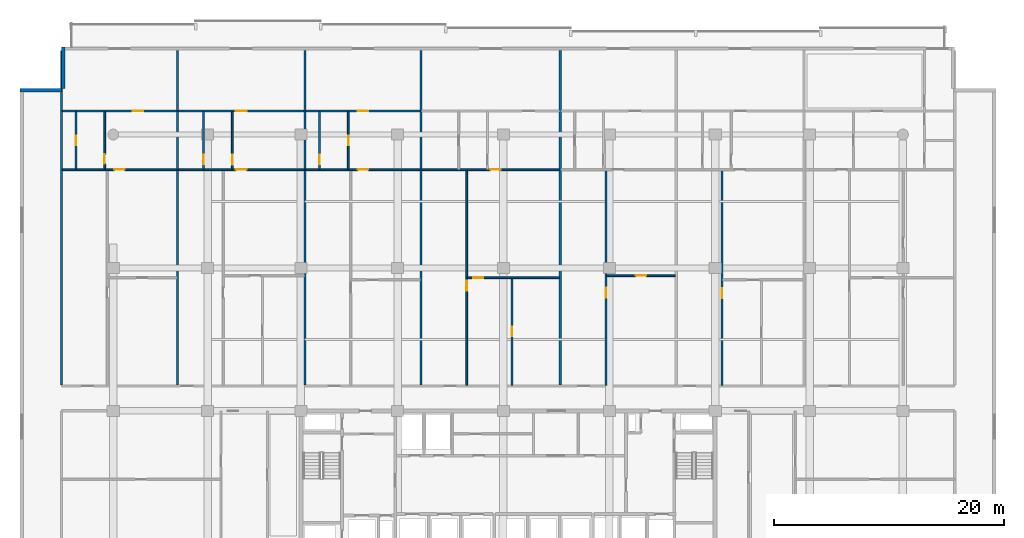
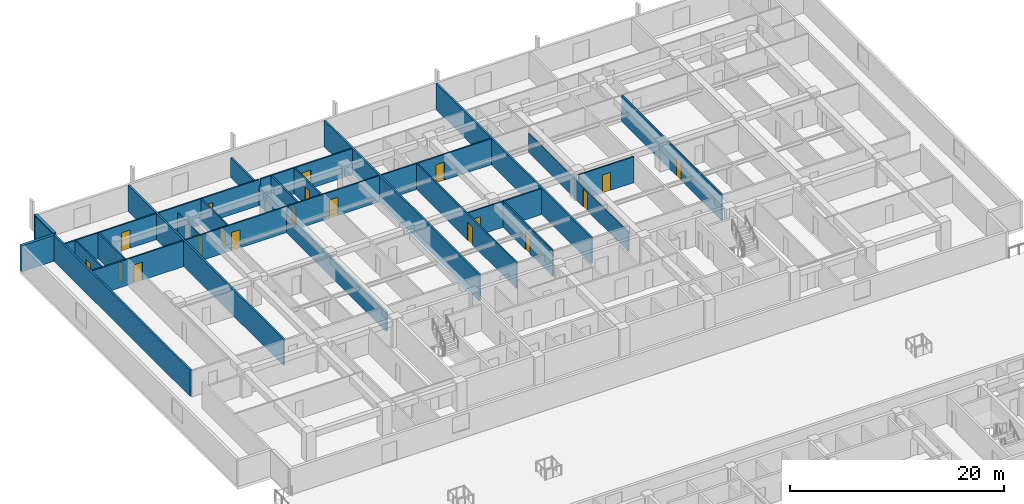
# One storey, part 14 of 24: 26 walls, 19 doors, 19 openings.
"""IFC4 building model written with IfcOpenShell, lengths in metres."""

from ifc_helpers import new_model, si_unit, direction, frame, frame_2d, origin, place, context, subcontext, project, spatial, rectangle, extrude, material, layer, layer_set, type_object, element, fill, save


model = new_model("IFC4")

# Units and contexts
model_context = context("Model", 3, precision=1e-05, world=origin(), true_north=direction((0.0, 1.0)))
body_context = subcontext(model_context, "Body", "Model", "MODEL_VIEW")
ifc_project = project(units=[si_unit("LENGTHUNIT", "METRE"), si_unit("AREAUNIT", "SQUARE_METRE"), si_unit("VOLUMEUNIT", "CUBIC_METRE"), si_unit("PLANEANGLEUNIT", "RADIAN"), si_unit("MASSUNIT", "GRAM", prefix="KILO")], contexts=[model_context])

# Site, building, storey
site_placement = place(None, origin())
site = spatial("IfcSite", under=ifc_project, at=site_placement, CompositionType="ELEMENT")
building_placement = place(site_placement, origin())
building = spatial("IfcBuilding", under=site, at=building_placement, Name="Korimba Cascade Residences", CompositionType="ELEMENT")
storey_placement = place(building_placement, frame((0.0, 0.0, 24.0)))
storey = spatial("IfcBuildingStorey", under=building, at=storey_placement, Name="L05", CompositionType="ELEMENT", Elevation=24.0)

# Walls
ifc_material_1 = material(Name="Precast concrete C40/50", Category="concrete")
ifc_layer_1 = layer(ifc_material_1, 0.300048828125)
ifc_layer_set_1 = layer_set([ifc_layer_1], Name="Precast concrete C40/50")
wall_type_1 = type_object("IfcWallType", Name="EW-STONE-300", PredefinedType="STANDARD", material=ifc_layer_set_1)
for number, where, z_axis, x_axis, name in (
    (1, (55.449951171875, 98.800048828125, 0.0), (0.0, 0.0, 1.0), (0.0, -1.0, 0.0), "L05 T1 Perimeter Stone Wall E07"),
    (2, (55.300048828125, 95.050048828125, 0.0), (0.0, 0.0, 1.0), (-1.0, 0.0, 0.0), "L05 T1 Perimeter Stone Wall E08"),
):
    element("IfcWall", number, at=place(storey_placement, frame(where, z_axis=z_axis, x_axis=x_axis)), inside=storey, type_object=wall_type_1, Name=name, PredefinedType="STANDARD", context=body_context, shape_type="SweptSolid", body=[
        extrude(rectangle(XDim=3.60009765625, YDim=0.300048828125, at=frame_2d((1.800048828125, 0.0))), origin(), (0.0, 0.0, 1.0), 2.969970703125),
    ])
ifc_layer_2 = layer(ifc_material_1, 0.199951171875)
ifc_layer_set_2 = layer_set([ifc_layer_2], Name="Precast concrete C40/50")
wall_type_2 = type_object("IfcWallType", Name="WAL-IT-200", PredefinedType="PARTITIONING", material=ifc_layer_set_2)
for number, where, z_axis, x_axis, name in (
    (3, (55.300048828125, 69.429931640625, 0.0), (0.0, 0.0, 1.0), (0.0, 1.0, 0.0), "L05 Partition Wall WAL-L05-T1-BNDWL"),
    (4, (65.3779296875, 69.429931640625, 0.0), (0.0, 0.0, 1.0), (0.0, 1.0, 0.0), "L05 Partition Wall WAL-L05-T1-DEM-1"),
):
    element("IfcWall", number, at=place(storey_placement, frame(where, z_axis=z_axis, x_axis=x_axis)), inside=storey, type_object=wall_type_2, Name=name, PredefinedType="PARTITIONING", context=body_context, shape_type="SweptSolid", body=[
        extrude(rectangle(XDim=29.070068359375, YDim=0.199951171875, at=frame_2d((14.53515625, 0.0))), origin(), (0.0, 0.0, 1.0), 2.969970703125),
    ])
wall_1_placement = place(storey_placement, frame((76.463623046875, 69.429931640625, 0.0), z_axis=(0.0, 0.0, 1.0), x_axis=(0.0, 1.0, 0.0)))
element("IfcWall", 5, at=wall_1_placement, inside=storey, type_object=wall_type_2, Name="L05 Partition Wall WAL-L05-T1-DEM-2", PredefinedType="PARTITIONING", context=body_context, shape_type="SweptSolid", body=[
    extrude(rectangle(XDim=29.070068359375, YDim=0.199951171875, at=frame_2d((14.53515625, 0.0))), origin(), (0.0, 0.0, 1.0), 2.219970703125),
])
for number, where, z_axis, x_axis, name in (
    (6, (86.54150390625, 69.429931640625, 0.0), (0.0, 0.0, 1.0), (0.0, 1.0, 0.0), "L05 Partition Wall WAL-L05-T1-DEM-3"),
    (7, (98.635009765625, 69.429931640625, 0.0), (0.0, 0.0, 1.0), (0.0, 1.0, 0.0), "L05 Partition Wall WAL-L05-T1-DEM-4"),
):
    element("IfcWall", number, at=place(storey_placement, frame(where, z_axis=z_axis, x_axis=x_axis)), inside=storey, type_object=wall_type_2, Name=name, PredefinedType="PARTITIONING", context=body_context, shape_type="SweptSolid", body=[
        extrude(rectangle(XDim=29.070068359375, YDim=0.199951171875, at=frame_2d((14.53515625, 0.0))), origin(), (0.0, 0.0, 1.0), 2.969970703125),
    ])

# Wall, opening, door
ifc_material_2 = material(Name="Insulated Acoustic Stud Partition", Category="gypsum")
ifc_layer_3 = layer(ifc_material_2, 0.14990234375)
ifc_layer_set_3 = layer_set([ifc_layer_3], Name="Insulated Acoustic Stud Partition")
wall_type_3 = type_object("IfcWallType", Name="WAL-PART-150", PredefinedType="PARTITIONING", material=ifc_layer_set_3)
wall_2_placement = place(storey_placement, frame((56.557861328125, 88.18994140625, 0.0), z_axis=(0.0, 0.0, 1.0), x_axis=(0.0, 1.0, 0.0)))
wall_2 = element("IfcWall", 8, at=wall_2_placement, inside=storey, type_object=wall_type_3, Name="L05 Partition Wall WAL-L05-T1-U01-CLS", PredefinedType="PARTITIONING", context=body_context, shape_type="SweptSolid", body=[
    extrude(rectangle(XDim=5.0, YDim=0.14990234375, at=frame_2d((2.5, 0.0))), origin(), (0.0, 0.0, 1.0), 2.969970703125),
])
opening_1_placement = place(wall_2_placement, frame((2.080078125, 0.0, 0.0)))
opening_1 = element("IfcOpeningElement", 9, at=opening_1_placement, cuts=wall_2, Name="Opening D-BT1", PredefinedType="OPENING", context=body_context, shape_type="SweptSolid", body=[
    extrude(rectangle(XDim=0.840087890625, YDim=2.0400390625, at=frame_2d((0.419921875, 1.02001953125))), frame((0.0, 0.0849609375, 0.0), z_axis=(0.0, -1.0, 0.0), x_axis=(1.0, 0.0, 0.0)), (0.0, 0.0, 1.0), 0.169921875),
])
ifc_material_3 = material(Name="Moisture-Resistant Bathroom Timber Door", Category="wood")
door_type_1 = type_object("IfcDoorType", Name="DR-INT-850", OperationType="NOTDEFINED", PredefinedType="DOOR", material=ifc_material_3)
door_1_placement = place(opening_1_placement, origin())
door_1 = element("IfcDoor", 10, at=door_1_placement, inside=storey, type_object=door_type_1, Name="L05-T1-U01 Closet Door", OperationType="SINGLE_SWING_LEFT", OverallHeight=2.0400390625, OverallWidth=0.840087890625, PredefinedType="DOOR", context=body_context, shape_type="SweptSolid", body=[
    extrude(rectangle(XDim=0.840087890625, YDim=2.0400390625, at=frame_2d((0.419921875, 1.02001953125))), frame((0.0, 0.02490234375, 0.0), z_axis=(0.0, -1.0, 0.0), x_axis=(1.0, 0.0, 0.0)), (0.0, 0.0, 1.0), 0.050048828125),
])
fill(opening_1, door_1)

wall_3_placement = place(storey_placement, frame((59.057861328125, 88.18994140625, 0.0), z_axis=(0.0, 0.0, 1.0), x_axis=(0.0, 1.0, 0.0)))
wall_3 = element("IfcWall", 11, at=wall_3_placement, inside=storey, type_object=wall_type_3, Name="L05 Partition Wall WAL-L05-T1-U01-BM", PredefinedType="PARTITIONING", context=body_context, shape_type="SweptSolid", body=[
    extrude(rectangle(XDim=5.0, YDim=0.14990234375, at=frame_2d((2.5, 0.0))), origin(), (0.0, 0.0, 1.0), 2.969970703125),
])
opening_2_placement = place(wall_3_placement, frame((0.46728515625, 0.0, 0.0)))
opening_2 = element("IfcOpeningElement", 12, at=opening_2_placement, cuts=wall_3, Name="Opening D-BT1", PredefinedType="OPENING", context=body_context, shape_type="SweptSolid", body=[
    extrude(rectangle(XDim=0.840087890625, YDim=2.0400390625, at=frame_2d((0.419921875, 1.02001953125))), frame((0.0, 0.0849609375, 0.0), z_axis=(0.0, -1.0, 0.0), x_axis=(1.0, 0.0, 0.0)), (0.0, 0.0, 1.0), 0.169921875),
])
door_2_placement = place(opening_2_placement, origin())
door_2 = element("IfcDoor", 13, at=door_2_placement, inside=storey, type_object=door_type_1, Name="L05-T1-U01 Bathroom Door", OperationType="SINGLE_SWING_RIGHT", OverallHeight=2.0400390625, OverallWidth=0.840087890625, PredefinedType="DOOR", context=body_context, shape_type="SweptSolid", body=[
    extrude(rectangle(XDim=0.840087890625, YDim=2.0400390625, at=frame_2d((0.419921875, 1.02001953125))), frame((0.0, 0.02490234375, 0.0), z_axis=(0.0, -1.0, 0.0), x_axis=(1.0, 0.0, 0.0)), (0.0, 0.0, 1.0), 0.050048828125),
])
fill(opening_2, door_2)

wall_4_placement = place(storey_placement, frame((55.3798828125, 88.14990234375, 0.0), z_axis=(0.0, 0.0, 1.0), x_axis=(1.0, 0.0, 0.0)))
wall_4 = element("IfcWall", 14, at=wall_4_placement, inside=storey, type_object=wall_type_3, Name="L05 Partition Wall WAL-L05-T1-U01-MW", PredefinedType="PARTITIONING", context=body_context, shape_type="SweptSolid", body=[
    extrude(rectangle(XDim=9.91796875, YDim=0.14990234375, at=frame_2d((4.958984375, 0.0))), origin(), (0.0, 0.0, 1.0), 2.969970703125),
])
opening_3_placement = place(wall_4_placement, frame((4.498779296875, 0.0, 0.0)))
opening_3 = element("IfcOpeningElement", 15, at=opening_3_placement, cuts=wall_4, Name="Opening D-IN1", PredefinedType="OPENING", context=body_context, shape_type="SweptSolid", body=[
    extrude(rectangle(XDim=0.919921875, YDim=2.080078125, at=frame_2d((0.4599609375, 1.0400390625))), frame((0.0, 0.0849609375, 0.0), z_axis=(0.0, -1.0, 0.0), x_axis=(1.0, 0.0, 0.0)), (0.0, 0.0, 1.0), 0.169921875),
])
ifc_material_4 = material(Name="Acoustic Timber Living Door", Category="wood")
door_type_2 = type_object("IfcDoorType", Name="DR-INT-920", OperationType="NOTDEFINED", PredefinedType="DOOR", material=ifc_material_4)
door_3_placement = place(opening_3_placement, origin())
door_3 = element("IfcDoor", 16, at=door_3_placement, inside=storey, type_object=door_type_2, Name="L05-T1-U01 Studio Kitchen Door", OperationType="SINGLE_SWING_LEFT", OverallHeight=2.080078125, OverallWidth=0.919921875, PredefinedType="DOOR", context=body_context, shape_type="SweptSolid", body=[
    extrude(rectangle(XDim=0.919921875, YDim=2.080078125, at=frame_2d((0.4599609375, 1.0400390625))), frame((0.0, 0.02490234375, 0.0), z_axis=(0.0, -1.0, 0.0), x_axis=(1.0, 0.0, 0.0)), (0.0, 0.0, 1.0), 0.050048828125),
])
fill(opening_3, door_3)

wall_5_placement = place(storey_placement, frame((55.3798828125, 93.25, 0.0), z_axis=(0.0, 0.0, 1.0), x_axis=(1.0, 0.0, 0.0)))
wall_5 = element("IfcWall", 17, at=wall_5_placement, inside=storey, type_object=wall_type_3, Name="L05 Partition Wall WAL-L05-T1-U01-HZ", PredefinedType="PARTITIONING", context=body_context, shape_type="SweptSolid", body=[
    extrude(rectangle(XDim=9.91796875, YDim=0.14990234375, at=frame_2d((4.958984375, 0.0))), origin(), (0.0, 0.0, 1.0), 2.969970703125),
])
opening_4_placement = place(wall_5_placement, frame((6.126708984375, 0.0, 0.0)))
opening_4 = element("IfcOpeningElement", 18, at=opening_4_placement, cuts=wall_5, Name="Opening D-IN1", PredefinedType="OPENING", context=body_context, shape_type="SweptSolid", body=[
    extrude(rectangle(XDim=0.919921875, YDim=2.080078125, at=frame_2d((0.4599609375, 1.0400390625))), frame((0.0, 0.0849609375, 0.0), z_axis=(0.0, -1.0, 0.0), x_axis=(1.0, 0.0, 0.0)), (0.0, 0.0, 1.0), 0.169921875),
])
door_4_placement = place(opening_4_placement, origin())
door_4 = element("IfcDoor", 19, at=door_4_placement, inside=storey, type_object=door_type_2, Name="L05-T1-U01 Studio Door", OperationType="SINGLE_SWING_RIGHT", OverallHeight=2.080078125, OverallWidth=0.919921875, PredefinedType="DOOR", context=body_context, shape_type="SweptSolid", body=[
    extrude(rectangle(XDim=0.919921875, YDim=2.080078125, at=frame_2d((0.4599609375, 1.0400390625))), frame((0.0, 0.02490234375, 0.0), z_axis=(0.0, -1.0, 0.0), x_axis=(1.0, 0.0, 0.0)), (0.0, 0.0, 1.0), 0.050048828125),
])
fill(opening_4, door_4)

wall_6_placement = place(storey_placement, frame((67.6435546875, 88.18994140625, 0.0), z_axis=(0.0, 0.0, 1.0), x_axis=(0.0, 1.0, 0.0)))
wall_6 = element("IfcWall", 20, at=wall_6_placement, inside=storey, type_object=wall_type_3, Name="L05 Partition Wall WAL-L05-T1-U02-CLS", PredefinedType="PARTITIONING", context=body_context, shape_type="SweptSolid", body=[
    extrude(rectangle(XDim=5.0, YDim=0.14990234375, at=frame_2d((2.5, 0.0))), origin(), (0.0, 0.0, 1.0), 2.219970703125),
])
opening_5_placement = place(wall_6_placement, frame((0.419189453125, 0.0, 0.0)))
opening_5 = element("IfcOpeningElement", 21, at=opening_5_placement, cuts=wall_6, Name="Opening D-BT1", PredefinedType="OPENING", context=body_context, shape_type="SweptSolid", body=[
    extrude(rectangle(XDim=0.840087890625, YDim=2.0400390625, at=frame_2d((0.419921875, 1.02001953125))), frame((0.0, 0.0849609375, 0.0), z_axis=(0.0, -1.0, 0.0), x_axis=(1.0, 0.0, 0.0)), (0.0, 0.0, 1.0), 0.169921875),
])
door_5_placement = place(opening_5_placement, origin())
door_5 = element("IfcDoor", 22, at=door_5_placement, inside=storey, type_object=door_type_1, Name="L05-T1-U02 Closet Door", OperationType="SINGLE_SWING_RIGHT", OverallHeight=2.0400390625, OverallWidth=0.840087890625, PredefinedType="DOOR", context=body_context, shape_type="SweptSolid", body=[
    extrude(rectangle(XDim=0.840087890625, YDim=2.0400390625, at=frame_2d((0.419921875, 1.02001953125))), frame((0.0, 0.02490234375, 0.0), z_axis=(0.0, -1.0, 0.0), x_axis=(1.0, 0.0, 0.0)), (0.0, 0.0, 1.0), 0.050048828125),
])
fill(opening_5, door_5)

wall_7_placement = place(storey_placement, frame((70.1435546875, 88.18994140625, 0.0), z_axis=(0.0, 0.0, 1.0), x_axis=(0.0, 1.0, 0.0)))
wall_7 = element("IfcWall", 23, at=wall_7_placement, inside=storey, type_object=wall_type_3, Name="L05 Partition Wall WAL-L05-T1-U02-BM", PredefinedType="PARTITIONING", context=body_context, shape_type="SweptSolid", body=[
    extrude(rectangle(XDim=5.0, YDim=0.14990234375, at=frame_2d((2.5, 0.0))), origin(), (0.0, 0.0, 1.0), 2.969970703125),
])
opening_6_placement = place(wall_7_placement, frame((0.39990234375, 0.0, 0.0)))
opening_6 = element("IfcOpeningElement", 24, at=opening_6_placement, cuts=wall_7, Name="Opening D-BT1", PredefinedType="OPENING", context=body_context, shape_type="SweptSolid", body=[
    extrude(rectangle(XDim=0.840087890625, YDim=2.0400390625, at=frame_2d((0.419921875, 1.02001953125))), frame((0.0, 0.0849609375, 0.0), z_axis=(0.0, -1.0, 0.0), x_axis=(1.0, 0.0, 0.0)), (0.0, 0.0, 1.0), 0.169921875),
])
door_6_placement = place(opening_6_placement, origin())
door_6 = element("IfcDoor", 25, at=door_6_placement, inside=storey, type_object=door_type_1, Name="L05-T1-U02 Bathroom Door", OperationType="SINGLE_SWING_LEFT", OverallHeight=2.0400390625, OverallWidth=0.840087890625, PredefinedType="DOOR", context=body_context, shape_type="SweptSolid", body=[
    extrude(rectangle(XDim=0.840087890625, YDim=2.0400390625, at=frame_2d((0.419921875, 1.02001953125))), frame((0.0, 0.02490234375, 0.0), z_axis=(0.0, -1.0, 0.0), x_axis=(1.0, 0.0, 0.0)), (0.0, 0.0, 1.0), 0.050048828125),
])
fill(opening_6, door_6)

wall_8_placement = place(storey_placement, frame((65.4580078125, 88.14990234375, 0.0), z_axis=(0.0, 0.0, 1.0), x_axis=(1.0, 0.0, 0.0)))
wall_8 = element("IfcWall", 26, at=wall_8_placement, inside=storey, type_object=wall_type_3, Name="L05 Partition Wall WAL-L05-T1-U02-MW", PredefinedType="PARTITIONING", context=body_context, shape_type="SweptSolid", body=[
    extrude(rectangle(XDim=10.925537109375, YDim=0.14990234375, at=frame_2d((5.462890625, 0.0))), origin(), (0.0, 0.0, 1.0), 2.969970703125),
])
opening_7_placement = place(wall_8_placement, frame((5.0029296875, 0.0, 0.0)))
opening_7 = element("IfcOpeningElement", 27, at=opening_7_placement, cuts=wall_8, Name="Opening D-IN1", PredefinedType="OPENING", context=body_context, shape_type="SweptSolid", body=[
    extrude(rectangle(XDim=0.919921875, YDim=2.080078125, at=frame_2d((0.4599609375, 1.0400390625))), frame((0.0, 0.0849609375, 0.0), z_axis=(0.0, -1.0, 0.0), x_axis=(1.0, 0.0, 0.0)), (0.0, 0.0, 1.0), 0.169921875),
])
door_7_placement = place(opening_7_placement, origin())
door_7 = element("IfcDoor", 28, at=door_7_placement, inside=storey, type_object=door_type_2, Name="L05-T1-U02 Studio Kitchen Door", OperationType="SINGLE_SWING_RIGHT", OverallHeight=2.080078125, OverallWidth=0.919921875, PredefinedType="DOOR", context=body_context, shape_type="SweptSolid", body=[
    extrude(rectangle(XDim=0.919921875, YDim=2.080078125, at=frame_2d((0.4599609375, 1.0400390625))), frame((0.0, 0.02490234375, 0.0), z_axis=(0.0, -1.0, 0.0), x_axis=(1.0, 0.0, 0.0)), (0.0, 0.0, 1.0), 0.050048828125),
])
fill(opening_7, door_7)

wall_9_placement = place(storey_placement, frame((65.4580078125, 93.25, 0.0), z_axis=(0.0, 0.0, 1.0), x_axis=(1.0, 0.0, 0.0)))
wall_9 = element("IfcWall", 29, at=wall_9_placement, inside=storey, type_object=wall_type_3, Name="L05 Partition Wall WAL-L05-T1-U02-HZ", PredefinedType="PARTITIONING", context=body_context, shape_type="SweptSolid", body=[
    extrude(rectangle(XDim=10.925537109375, YDim=0.14990234375, at=frame_2d((5.462890625, 0.0))), origin(), (0.0, 0.0, 1.0), 2.969970703125),
])
opening_8_placement = place(wall_9_placement, frame((5.0029296875, 0.0, 0.0)))
opening_8 = element("IfcOpeningElement", 30, at=opening_8_placement, cuts=wall_9, Name="Opening D-IN1", PredefinedType="OPENING", context=body_context, shape_type="SweptSolid", body=[
    extrude(rectangle(XDim=0.919921875, YDim=2.080078125, at=frame_2d((0.4599609375, 1.0400390625))), frame((0.0, 0.0849609375, 0.0), z_axis=(0.0, -1.0, 0.0), x_axis=(1.0, 0.0, 0.0)), (0.0, 0.0, 1.0), 0.169921875),
])
door_8_placement = place(opening_8_placement, origin())
door_8 = element("IfcDoor", 31, at=door_8_placement, inside=storey, type_object=door_type_2, Name="L05-T1-U02 Studio Door", OperationType="SINGLE_SWING_LEFT", OverallHeight=2.080078125, OverallWidth=0.919921875, PredefinedType="DOOR", context=body_context, shape_type="SweptSolid", body=[
    extrude(rectangle(XDim=0.919921875, YDim=2.080078125, at=frame_2d((0.4599609375, 1.0400390625))), frame((0.0, 0.02490234375, 0.0), z_axis=(0.0, -1.0, 0.0), x_axis=(1.0, 0.0, 0.0)), (0.0, 0.0, 1.0), 0.050048828125),
])
fill(opening_8, door_8)

wall_10_placement = place(storey_placement, frame((77.721435546875, 88.18994140625, 0.0), z_axis=(0.0, 0.0, 1.0), x_axis=(0.0, 1.0, 0.0)))
wall_10 = element("IfcWall", 32, at=wall_10_placement, inside=storey, type_object=wall_type_3, Name="L05 Partition Wall WAL-L05-T1-U03-CLS", PredefinedType="PARTITIONING", context=body_context, shape_type="SweptSolid", body=[
    extrude(rectangle(XDim=5.0, YDim=0.14990234375, at=frame_2d((2.5, 0.0))), origin(), (0.0, 0.0, 1.0), 2.969970703125),
])
opening_9_placement = place(wall_10_placement, frame((0.419189453125, 0.0, 0.0)))
opening_9 = element("IfcOpeningElement", 33, at=opening_9_placement, cuts=wall_10, Name="Opening D-BT1", PredefinedType="OPENING", context=body_context, shape_type="SweptSolid", body=[
    extrude(rectangle(XDim=0.840087890625, YDim=2.0400390625, at=frame_2d((0.419921875, 1.02001953125))), frame((0.0, 0.0849609375, 0.0), z_axis=(0.0, -1.0, 0.0), x_axis=(1.0, 0.0, 0.0)), (0.0, 0.0, 1.0), 0.169921875),
])
door_9_placement = place(opening_9_placement, origin())
door_9 = element("IfcDoor", 34, at=door_9_placement, inside=storey, type_object=door_type_1, Name="L05-T1-U03 Closet Door", OperationType="SINGLE_SWING_RIGHT", OverallHeight=2.0400390625, OverallWidth=0.840087890625, PredefinedType="DOOR", context=body_context, shape_type="SweptSolid", body=[
    extrude(rectangle(XDim=0.840087890625, YDim=2.0400390625, at=frame_2d((0.419921875, 1.02001953125))), frame((0.0, 0.02490234375, 0.0), z_axis=(0.0, -1.0, 0.0), x_axis=(1.0, 0.0, 0.0)), (0.0, 0.0, 1.0), 0.050048828125),
])
fill(opening_9, door_9)

wall_11_placement = place(storey_placement, frame((80.221435546875, 88.18994140625, 0.0), z_axis=(0.0, 0.0, 1.0), x_axis=(0.0, 1.0, 0.0)))
wall_11 = element("IfcWall", 35, at=wall_11_placement, inside=storey, type_object=wall_type_3, Name="L05 Partition Wall WAL-L05-T1-U03-BM", PredefinedType="PARTITIONING", context=body_context, shape_type="SweptSolid", body=[
    extrude(rectangle(XDim=5.0, YDim=0.14990234375, at=frame_2d((2.5, 0.0))), origin(), (0.0, 0.0, 1.0), 2.969970703125),
])
opening_10_placement = place(wall_11_placement, frame((2.080078125, 0.0, 0.0)))
opening_10 = element("IfcOpeningElement", 36, at=opening_10_placement, cuts=wall_11, Name="Opening D-BT1", PredefinedType="OPENING", context=body_context, shape_type="SweptSolid", body=[
    extrude(rectangle(XDim=0.840087890625, YDim=2.0400390625, at=frame_2d((0.419921875, 1.02001953125))), frame((0.0, 0.0849609375, 0.0), z_axis=(0.0, -1.0, 0.0), x_axis=(1.0, 0.0, 0.0)), (0.0, 0.0, 1.0), 0.169921875),
])
door_10_placement = place(opening_10_placement, origin())
door_10 = element("IfcDoor", 37, at=door_10_placement, inside=storey, type_object=door_type_1, Name="L05-T1-U03 Bathroom Door", OperationType="SINGLE_SWING_LEFT", OverallHeight=2.0400390625, OverallWidth=0.840087890625, PredefinedType="DOOR", context=body_context, shape_type="SweptSolid", body=[
    extrude(rectangle(XDim=0.840087890625, YDim=2.0400390625, at=frame_2d((0.419921875, 1.02001953125))), frame((0.0, 0.02490234375, 0.0), z_axis=(0.0, -1.0, 0.0), x_axis=(1.0, 0.0, 0.0)), (0.0, 0.0, 1.0), 0.050048828125),
])
fill(opening_10, door_10)

wall_12_placement = place(storey_placement, frame((76.543701171875, 88.14990234375, 0.0), z_axis=(0.0, 0.0, 1.0), x_axis=(1.0, 0.0, 0.0)))
wall_12 = element("IfcWall", 38, at=wall_12_placement, inside=storey, type_object=wall_type_3, Name="L05 Partition Wall WAL-L05-T1-U03-MW", PredefinedType="PARTITIONING", context=body_context, shape_type="SweptSolid", body=[
    extrude(rectangle(XDim=9.917724609375, YDim=0.14990234375, at=frame_2d((4.958984375, 0.0))), origin(), (0.0, 0.0, 1.0), 2.969970703125),
])
opening_11_placement = place(wall_12_placement, frame((4.4990234375, 0.0, 0.0)))
opening_11 = element("IfcOpeningElement", 39, at=opening_11_placement, cuts=wall_12, Name="Opening D-IN1", PredefinedType="OPENING", context=body_context, shape_type="SweptSolid", body=[
    extrude(rectangle(XDim=0.919921875, YDim=2.080078125, at=frame_2d((0.4599609375, 1.0400390625))), frame((0.0, 0.0849609375, 0.0), z_axis=(0.0, -1.0, 0.0), x_axis=(1.0, 0.0, 0.0)), (0.0, 0.0, 1.0), 0.169921875),
])
door_11_placement = place(opening_11_placement, origin())
door_11 = element("IfcDoor", 40, at=door_11_placement, inside=storey, type_object=door_type_2, Name="L05-T1-U03 Studio Kitchen Door", OperationType="SINGLE_SWING_RIGHT", OverallHeight=2.080078125, OverallWidth=0.919921875, PredefinedType="DOOR", context=body_context, shape_type="SweptSolid", body=[
    extrude(rectangle(XDim=0.919921875, YDim=2.080078125, at=frame_2d((0.4599609375, 1.0400390625))), frame((0.0, 0.02490234375, 0.0), z_axis=(0.0, -1.0, 0.0), x_axis=(1.0, 0.0, 0.0)), (0.0, 0.0, 1.0), 0.050048828125),
])
fill(opening_11, door_11)

wall_13_placement = place(storey_placement, frame((76.543701171875, 93.25, 0.0), z_axis=(0.0, 0.0, 1.0), x_axis=(1.0, 0.0, 0.0)))
wall_13 = element("IfcWall", 41, at=wall_13_placement, inside=storey, type_object=wall_type_3, Name="L05 Partition Wall WAL-L05-T1-U03-HZ", PredefinedType="PARTITIONING", context=body_context, shape_type="SweptSolid", body=[
    extrude(rectangle(XDim=9.917724609375, YDim=0.14990234375, at=frame_2d((4.958984375, 0.0))), origin(), (0.0, 0.0, 1.0), 2.969970703125),
])
opening_12_placement = place(wall_13_placement, frame((4.4990234375, 0.0, 0.0)))
opening_12 = element("IfcOpeningElement", 42, at=opening_12_placement, cuts=wall_13, Name="Opening D-IN1", PredefinedType="OPENING", context=body_context, shape_type="SweptSolid", body=[
    extrude(rectangle(XDim=0.919921875, YDim=2.080078125, at=frame_2d((0.4599609375, 1.0400390625))), frame((0.0, 0.0849609375, 0.0), z_axis=(0.0, -1.0, 0.0), x_axis=(1.0, 0.0, 0.0)), (0.0, 0.0, 1.0), 0.169921875),
])
door_12_placement = place(opening_12_placement, origin())
door_12 = element("IfcDoor", 43, at=door_12_placement, inside=storey, type_object=door_type_2, Name="L05-T1-U03 Studio Door", OperationType="SINGLE_SWING_LEFT", OverallHeight=2.080078125, OverallWidth=0.919921875, PredefinedType="DOOR", context=body_context, shape_type="SweptSolid", body=[
    extrude(rectangle(XDim=0.919921875, YDim=2.080078125, at=frame_2d((0.4599609375, 1.0400390625))), frame((0.0, 0.02490234375, 0.0), z_axis=(0.0, -1.0, 0.0), x_axis=(1.0, 0.0, 0.0)), (0.0, 0.0, 1.0), 0.050048828125),
])
fill(opening_12, door_12)

wall_14_placement = place(storey_placement, frame((94.443115234375, 69.409912109375, 0.0), z_axis=(0.0, 0.0, 1.0), x_axis=(0.0, 1.0, 0.0)))
wall_14 = element("IfcWall", 44, at=wall_14_placement, inside=storey, type_object=wall_type_3, Name="L05 Partition Wall WAL-L05-T1-U04-FMV", PredefinedType="PARTITIONING", context=body_context, shape_type="SweptSolid", body=[
    extrude(rectangle(XDim=9.35009765625, YDim=0.14990234375, at=frame_2d((4.675048828125, 0.0))), origin(), (0.0, 0.0, 1.0), 2.969970703125),
])
opening_13_placement = place(wall_14_placement, frame((4.2548828125, 0.0, 0.0)))
opening_13 = element("IfcOpeningElement", 45, at=opening_13_placement, cuts=wall_14, Name="Opening D-BT1", PredefinedType="OPENING", context=body_context, shape_type="SweptSolid", body=[
    extrude(rectangle(XDim=0.840087890625, YDim=2.0400390625, at=frame_2d((0.419921875, 1.02001953125))), frame((0.0, 0.0849609375, 0.0), z_axis=(0.0, -1.0, 0.0), x_axis=(1.0, 0.0, 0.0)), (0.0, 0.0, 1.0), 0.169921875),
])
door_13_placement = place(opening_13_placement, origin())
door_13 = element("IfcDoor", 46, at=door_13_placement, inside=storey, type_object=door_type_1, Name="L05-T1-U04 Wardrobe Door", OperationType="SINGLE_SWING_RIGHT", OverallHeight=2.0400390625, OverallWidth=0.840087890625, PredefinedType="DOOR", context=body_context, shape_type="SweptSolid", body=[
    extrude(rectangle(XDim=0.840087890625, YDim=2.0400390625, at=frame_2d((0.419921875, 1.02001953125))), frame((0.0, 0.02490234375, 0.0), z_axis=(0.0, -1.0, 0.0), x_axis=(1.0, 0.0, 0.0)), (0.0, 0.0, 1.0), 0.050048828125),
])
fill(opening_13, door_13)

wall_15_placement = place(storey_placement, frame((90.571533203125, 78.760009765625, 0.0), z_axis=(0.0, 0.0, 1.0), x_axis=(1.0, 0.0, 0.0)))
wall_15 = element("IfcWall", 47, at=wall_15_placement, inside=storey, type_object=wall_type_3, Name="L05 Partition Wall WAL-L05-T1-U04-FMH", PredefinedType="PARTITIONING", context=body_context, shape_type="SweptSolid", body=[
    extrude(rectangle(XDim=7.9833984375, YDim=0.14990234375, at=frame_2d((3.99169921875, 0.0))), origin(), (0.0, 0.0, 1.0), 2.969970703125),
])
opening_14_placement = place(wall_15_placement, frame((0.495361328125, 0.0, 0.0)))
opening_14 = element("IfcOpeningElement", 48, at=opening_14_placement, cuts=wall_15, Name="Opening D-IN2", PredefinedType="OPENING", context=body_context, shape_type="SweptSolid", body=[
    extrude(rectangle(XDim=0.8798828125, YDim=2.06005859375, at=frame_2d((0.43994140625, 1.030029296875))), frame((0.0, 0.0849609375, 0.0), z_axis=(0.0, -1.0, 0.0), x_axis=(1.0, 0.0, 0.0)), (0.0, 0.0, 1.0), 0.169921875),
])
ifc_material_5 = material(Name="Acoustic Timber Bedroom Door", Category="wood")
door_type_3 = type_object("IfcDoorType", Name="DR-INT-880", OperationType="NOTDEFINED", PredefinedType="DOOR", material=ifc_material_5)
door_14_placement = place(opening_14_placement, origin())
door_14 = element("IfcDoor", 49, at=door_14_placement, inside=storey, type_object=door_type_3, Name="L05-T1-U04 Library Salon Door", OperationType="SINGLE_SWING_LEFT", OverallHeight=2.06005859375, OverallWidth=0.8798828125, PredefinedType="DOOR", context=body_context, shape_type="SweptSolid", body=[
    extrude(rectangle(XDim=0.8798828125, YDim=2.06005859375, at=frame_2d((0.43994140625, 1.030029296875))), frame((0.0, 0.02490234375, 0.0), z_axis=(0.0, -1.0, 0.0), x_axis=(1.0, 0.0, 0.0)), (0.0, 0.0, 1.0), 0.050048828125),
])
fill(opening_14, door_14)

wall_16_placement = place(storey_placement, frame((90.511474609375, 69.409912109375, 0.0), z_axis=(0.0, 0.0, 1.0), x_axis=(0.0, 1.0, 0.0)))
wall_16 = element("IfcWall", 50, at=wall_16_placement, inside=storey, type_object=wall_type_3, Name="L05 Partition Wall WAL-L05-T1-U04-FV", PredefinedType="PARTITIONING", context=body_context, shape_type="SweptSolid", body=[
    extrude(rectangle(XDim=18.7001953125, YDim=0.14990234375, at=frame_2d((9.35009765625, 0.0))), origin(), (0.0, 0.0, 1.0), 2.969970703125),
])
opening_15_placement = place(wall_16_placement, frame((8.219970703125, 0.0, 0.0)))
opening_15 = element("IfcOpeningElement", 51, at=opening_15_placement, cuts=wall_16, Name="Opening D-IN2", PredefinedType="OPENING", context=body_context, shape_type="SweptSolid", body=[
    extrude(rectangle(XDim=0.8798828125, YDim=2.06005859375, at=frame_2d((0.43994140625, 1.030029296875))), frame((0.0, 0.0849609375, 0.0), z_axis=(0.0, -1.0, 0.0), x_axis=(1.0, 0.0, 0.0)), (0.0, 0.0, 1.0), 0.169921875),
])
door_15_placement = place(opening_15_placement, origin())
door_15 = element("IfcDoor", 52, at=door_15_placement, inside=storey, type_object=door_type_3, Name="L05-T1-U04 Media Lounge Door", OperationType="SINGLE_SWING_RIGHT", OverallHeight=2.06005859375, OverallWidth=0.8798828125, PredefinedType="DOOR", context=body_context, shape_type="SweptSolid", body=[
    extrude(rectangle(XDim=0.8798828125, YDim=2.06005859375, at=frame_2d((0.43994140625, 1.030029296875))), frame((0.0, 0.02490234375, 0.0), z_axis=(0.0, -1.0, 0.0), x_axis=(1.0, 0.0, 0.0)), (0.0, 0.0, 1.0), 0.050048828125),
])
fill(opening_15, door_15)

wall_17_placement = place(storey_placement, frame((86.62158203125, 88.14990234375, 0.0), z_axis=(0.0, 0.0, 1.0), x_axis=(1.0, 0.0, 0.0)))
wall_17 = element("IfcWall", 53, at=wall_17_placement, inside=storey, type_object=wall_type_3, Name="L05 Partition Wall WAL-L05-T1-U04-MW", PredefinedType="PARTITIONING", context=body_context, shape_type="SweptSolid", body=[
    extrude(rectangle(XDim=11.933349609375, YDim=0.14990234375, at=frame_2d((5.966796875, 0.0))), origin(), (0.0, 0.0, 1.0), 2.969970703125),
])
opening_16_placement = place(wall_17_placement, frame((5.91357421875, 0.0, 0.0)))
opening_16 = element("IfcOpeningElement", 54, at=opening_16_placement, cuts=wall_17, Name="Opening D-IN1", PredefinedType="OPENING", context=body_context, shape_type="SweptSolid", body=[
    extrude(rectangle(XDim=0.919921875, YDim=2.080078125, at=frame_2d((0.4599609375, 1.0400390625))), frame((0.0, 0.0849609375, 0.0), z_axis=(0.0, -1.0, 0.0), x_axis=(1.0, 0.0, 0.0)), (0.0, 0.0, 1.0), 0.169921875),
])
door_16_placement = place(opening_16_placement, origin())
door_16 = element("IfcDoor", 55, at=door_16_placement, inside=storey, type_object=door_type_2, Name="L05-T1-U04 Studio Kitchen Door", OperationType="SINGLE_SWING_LEFT", OverallHeight=2.080078125, OverallWidth=0.919921875, PredefinedType="DOOR", context=body_context, shape_type="SweptSolid", body=[
    extrude(rectangle(XDim=0.919921875, YDim=2.080078125, at=frame_2d((0.4599609375, 1.0400390625))), frame((0.0, 0.02490234375, 0.0), z_axis=(0.0, -1.0, 0.0), x_axis=(1.0, 0.0, 0.0)), (0.0, 0.0, 1.0), 0.050048828125),
])
fill(opening_16, door_16)

wall_18_placement = place(storey_placement, frame((102.6650390625, 78.93994140625, 0.0), z_axis=(0.0, 0.0, 1.0), x_axis=(1.0, 0.0, 0.0)))
wall_18 = element("IfcWall", 56, at=wall_18_placement, inside=storey, type_object=wall_type_3, Name="L05 Partition Wall WAL-L05-T1-U05-FMH", PredefinedType="PARTITIONING", context=body_context, shape_type="SweptSolid", body=[
    extrude(rectangle(XDim=5.9677734375, YDim=0.14990234375, at=frame_2d((2.98388671875, 0.0))), origin(), (0.0, 0.0, 1.0), 2.969970703125),
])
opening_17_placement = place(wall_18_placement, frame((2.5439453125, 0.0, 0.0)))
opening_17 = element("IfcOpeningElement", 57, at=opening_17_placement, cuts=wall_18, Name="Opening D-IN2", PredefinedType="OPENING", context=body_context, shape_type="SweptSolid", body=[
    extrude(rectangle(XDim=0.8798828125, YDim=2.06005859375, at=frame_2d((0.43994140625, 1.030029296875))), frame((0.0, 0.0849609375, 0.0), z_axis=(0.0, -1.0, 0.0), x_axis=(1.0, 0.0, 0.0)), (0.0, 0.0, 1.0), 0.169921875),
])
door_17_placement = place(opening_17_placement, origin())
door_17 = element("IfcDoor", 58, at=door_17_placement, inside=storey, type_object=door_type_3, Name="L05-T1-U05 Library Salon Door", OperationType="SINGLE_SWING_LEFT", OverallHeight=2.06005859375, OverallWidth=0.8798828125, PredefinedType="DOOR", context=body_context, shape_type="SweptSolid", body=[
    extrude(rectangle(XDim=0.8798828125, YDim=2.06005859375, at=frame_2d((0.43994140625, 1.030029296875))), frame((0.0, 0.02490234375, 0.0), z_axis=(0.0, -1.0, 0.0), x_axis=(1.0, 0.0, 0.0)), (0.0, 0.0, 1.0), 0.050048828125),
])
fill(opening_17, door_17)

wall_19_placement = place(storey_placement, frame((102.60498046875, 69.409912109375, 0.0), z_axis=(0.0, 0.0, 1.0), x_axis=(0.0, 1.0, 0.0)))
wall_19 = element("IfcWall", 59, at=wall_19_placement, inside=storey, type_object=wall_type_3, Name="L05 Partition Wall WAL-L05-T1-U05-FV", PredefinedType="PARTITIONING", context=body_context, shape_type="SweptSolid", body=[
    extrude(rectangle(XDim=18.7001953125, YDim=0.14990234375, at=frame_2d((9.35009765625, 0.0))), origin(), (0.0, 0.0, 1.0), 2.219970703125),
])
opening_18_placement = place(wall_19_placement, frame((7.594970703125, 0.0, 0.0)))
opening_18 = element("IfcOpeningElement", 60, at=opening_18_placement, cuts=wall_19, Name="Opening D-IN2", PredefinedType="OPENING", context=body_context, shape_type="SweptSolid", body=[
    extrude(rectangle(XDim=0.8798828125, YDim=2.06005859375, at=frame_2d((0.43994140625, 1.030029296875))), frame((0.0, 0.0849609375, 0.0), z_axis=(0.0, -1.0, 0.0), x_axis=(1.0, 0.0, 0.0)), (0.0, 0.0, 1.0), 0.169921875),
])
door_18_placement = place(opening_18_placement, origin())
door_18 = element("IfcDoor", 61, at=door_18_placement, inside=storey, type_object=door_type_3, Name="L05-T1-U05 Media Lounge Door", OperationType="SINGLE_SWING_RIGHT", OverallHeight=2.06005859375, OverallWidth=0.8798828125, PredefinedType="DOOR", context=body_context, shape_type="SweptSolid", body=[
    extrude(rectangle(XDim=0.8798828125, YDim=2.06005859375, at=frame_2d((0.43994140625, 1.030029296875))), frame((0.0, 0.02490234375, 0.0), z_axis=(0.0, -1.0, 0.0), x_axis=(1.0, 0.0, 0.0)), (0.0, 0.0, 1.0), 0.050048828125),
])
fill(opening_18, door_18)

wall_20_placement = place(storey_placement, frame((112.682861328125, 69.409912109375, 0.0), z_axis=(0.0, 0.0, 1.0), x_axis=(0.0, 1.0, 0.0)))
wall_20 = element("IfcWall", 62, at=wall_20_placement, inside=storey, type_object=wall_type_3, Name="L05 Partition Wall WAL-L05-T1-U06-FV", PredefinedType="PARTITIONING", context=body_context, shape_type="SweptSolid", body=[
    extrude(rectangle(XDim=18.7001953125, YDim=0.14990234375, at=frame_2d((9.35009765625, 0.0))), origin(), (0.0, 0.0, 1.0), 2.969970703125),
])
opening_19_placement = place(wall_20_placement, frame((7.57861328125, 0.0, 0.0)))
opening_19 = element("IfcOpeningElement", 63, at=opening_19_placement, cuts=wall_20, Name="Opening D-IN2", PredefinedType="OPENING", context=body_context, shape_type="SweptSolid", body=[
    extrude(rectangle(XDim=0.8798828125, YDim=2.06005859375, at=frame_2d((0.43994140625, 1.030029296875))), frame((0.0, 0.0849609375, 0.0), z_axis=(0.0, -1.0, 0.0), x_axis=(1.0, 0.0, 0.0)), (0.0, 0.0, 1.0), 0.169921875),
])
door_19_placement = place(opening_19_placement, origin())
door_19 = element("IfcDoor", 64, at=door_19_placement, inside=storey, type_object=door_type_3, Name="L05-T1-U06 Media Lounge Door", OperationType="SINGLE_SWING_LEFT", OverallHeight=2.06005859375, OverallWidth=0.8798828125, PredefinedType="DOOR", context=body_context, shape_type="SweptSolid", body=[
    extrude(rectangle(XDim=0.8798828125, YDim=2.06005859375, at=frame_2d((0.43994140625, 1.030029296875))), frame((0.0, 0.02490234375, 0.0), z_axis=(0.0, -1.0, 0.0), x_axis=(1.0, 0.0, 0.0)), (0.0, 0.0, 1.0), 0.050048828125),
])
fill(opening_19, door_19)

save(model, "model.ifc")
